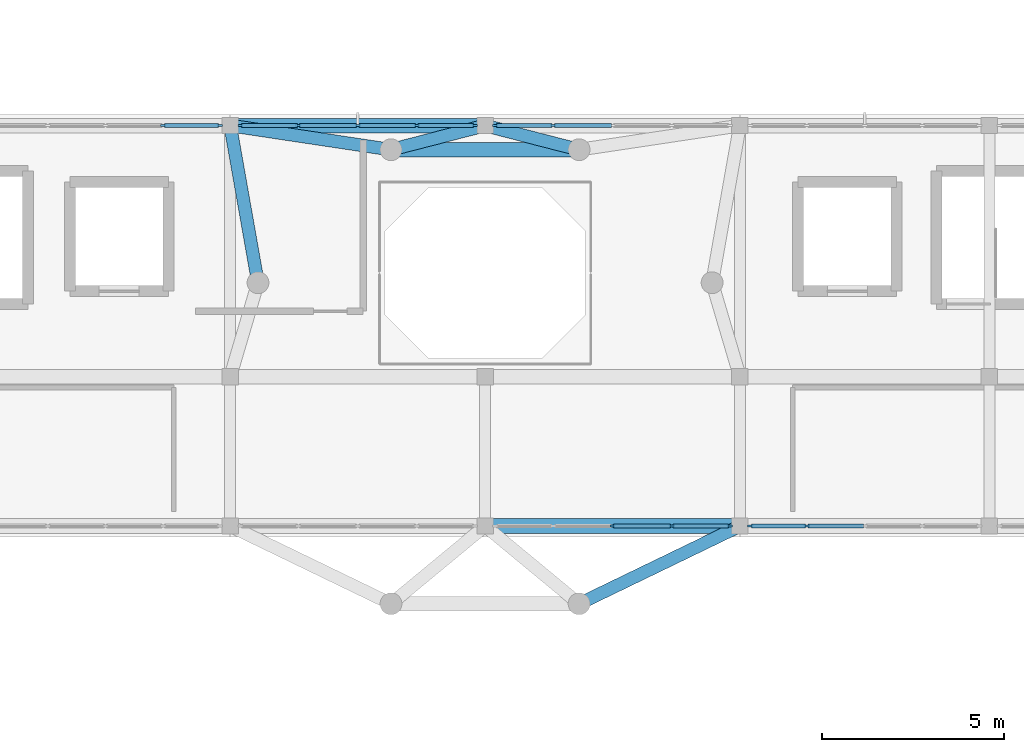
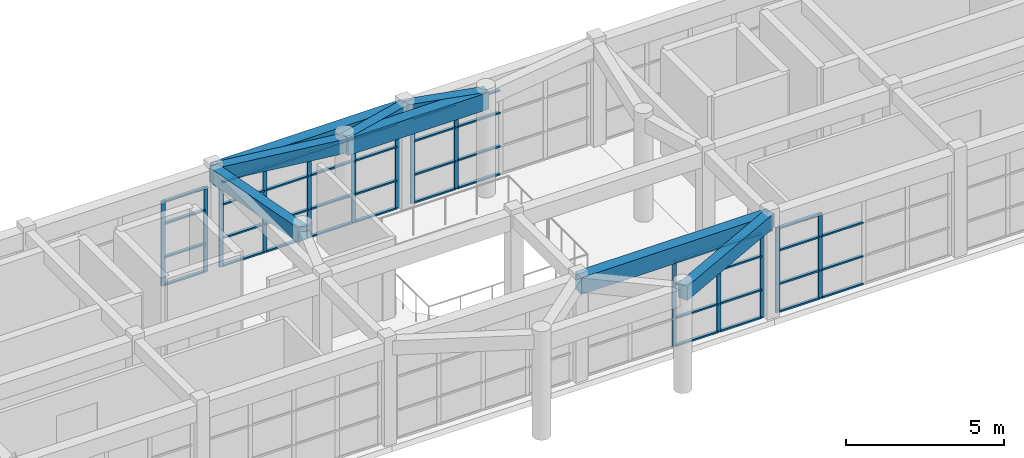
# One storey, part 6 of 66: 57 members, 8 beams, 5 elements without a shape of their own.
"""IFC4 building model written with IfcOpenShell, lengths in metres."""

from ifc_helpers import new_model, si_unit, direction, frame, origin, origin_2d, place, context, subcontext, project, spatial, rectangle, extrude, material, layer, layer_set, material_profile, profile_set, type_object, element, aggregate, save


model = new_model("IFC4")

# Units and contexts
model_context = context("Model", 3, precision=1e-05, world=origin(), true_north=direction((0.0, 1.0)))
body_context = subcontext(model_context, "Body", "Model", "MODEL_VIEW")
ifc_project = project(units=[si_unit("LENGTHUNIT", "METRE"), si_unit("AREAUNIT", "SQUARE_METRE"), si_unit("VOLUMEUNIT", "CUBIC_METRE"), si_unit("PLANEANGLEUNIT", "RADIAN"), si_unit("MASSUNIT", "GRAM", prefix="KILO")], contexts=[model_context])

# Site, building, storey
site_placement = place(None, origin())
site = spatial("IfcSite", under=ifc_project, at=site_placement, CompositionType="ELEMENT")
building_placement = place(site_placement, origin())
building = spatial("IfcBuilding", under=site, at=building_placement, Name="Candilejo Ridge Gondola Terminal", CompositionType="ELEMENT")
storey_placement = place(building_placement, frame((0.0, 0.0, 14.39990234375)))
storey = spatial("IfcBuildingStorey", under=building, at=storey_placement, Name="L03", CompositionType="ELEMENT", Elevation=14.39990234375)

# Curtain wall, members
ifc_material_1 = material(Name="Anodised aluminium AA 6063-T6", Category="aluminium")
ifc_layer_1 = layer(ifc_material_1, 0.169921875)
ifc_layer_set_1 = layer_set([ifc_layer_1], Name="ARC-CW-DRUM-3400-635X329")
curtain_wall_type_1 = type_object("IfcCurtainWallType", Name="ARC-CW-DRUM-3400-635X329", PredefinedType="NOTDEFINED", material=ifc_layer_set_1)
curtain_wall_1_placement = place(storey_placement, origin())
curtain_wall_1 = element("IfcCurtainWall", 1, at=curtain_wall_1_placement, inside=storey, type_object=curtain_wall_type_1, Name="Curtain wall V2 L03-060", PredefinedType="NOTDEFINED")
ifc_material_2 = material(Name="Anodised aluminium AA 6063-T6", Category="aluminium")
ifc_material_profile_1 = material_profile(ifc_material_2, rectangle(XDim=0.06494140625, YDim=0.14990234375, at=origin_2d()))
ifc_profile_set_1 = profile_set([ifc_material_profile_1], Name="Anodised aluminium AA 6063-T6")
member_type_1 = type_object("IfcMemberType", Name="ARC-CW-MULLION-150", PredefinedType="MULLION", material=ifc_profile_set_1)
member_1_placement = place(storey_placement, frame((56.512451171875, 36.699951171875, 0.0), z_axis=(0.0, 0.0, 1.0), x_axis=(0.0, 1.0, 0.0)))
member_1 = element("IfcMember", 2, at=member_1_placement, type_object=member_type_1, Name="CW-63X32 mullion 4", PredefinedType="MULLION", context=body_context, shape_type="SweptSolid", body=[
    extrude(rectangle(XDim=0.06494140625, YDim=0.14990234375, at=origin_2d()), origin(), (0.0, 0.0, 1.0), 3.2900390625),
])
member_2_placement = place(storey_placement, frame((58.0673828125, 36.699951171875, 0.0), z_axis=(0.0, 0.0, 1.0), x_axis=(0.0, 1.0, 0.0)))
member_2 = element("IfcMember", 3, at=member_2_placement, type_object=member_type_1, Name="CW-63X32 mullion 5", PredefinedType="MULLION", context=body_context, shape_type="SweptSolid", body=[
    extrude(rectangle(XDim=0.06494140625, YDim=0.14990234375, at=origin_2d()), origin(), (0.0, 0.0, 1.0), 3.2900390625),
])

ifc_material_3 = material(Name="Anodised aluminium AA 6063-T6", Category="aluminium")
ifc_layer_2 = layer(ifc_material_3, 0.169921875)
ifc_layer_set_2 = layer_set([ifc_layer_2], Name="ARC-CW-DRUM-3400-650X329")
curtain_wall_type_2 = type_object("IfcCurtainWallType", Name="ARC-CW-DRUM-3400-650X329", PredefinedType="NOTDEFINED", material=ifc_layer_set_2)
curtain_wall_2_placement = place(storey_placement, origin())
curtain_wall_2 = element("IfcCurtainWall", 4, at=curtain_wall_2_placement, inside=storey, type_object=curtain_wall_type_2, Name="Curtain wall V2 L03-062", PredefinedType="NOTDEFINED")
member_3_placement = place(storey_placement, frame((58.632568359375, 36.699951171875, 0.0), z_axis=(0.0, 0.0, 1.0), x_axis=(0.0, 1.0, 0.0)))
member_3 = element("IfcMember", 5, at=member_3_placement, type_object=member_type_1, Name="CW-65X32 mullion 1", PredefinedType="MULLION", context=body_context, shape_type="SweptSolid", body=[
    extrude(rectangle(XDim=0.06494140625, YDim=0.14990234375, at=origin_2d()), origin(), (0.0, 0.0, 1.0), 3.2900390625),
])
member_4_placement = place(storey_placement, frame((60.22509765625, 36.699951171875, 0.0), z_axis=(0.0, 0.0, 1.0), x_axis=(0.0, 1.0, 0.0)))
member_4 = element("IfcMember", 6, at=member_4_placement, type_object=member_type_1, Name="CW-65X32 mullion 2", PredefinedType="MULLION", context=body_context, shape_type="SweptSolid", body=[
    extrude(rectangle(XDim=0.06494140625, YDim=0.14990234375, at=origin_2d()), origin(), (0.0, 0.0, 1.0), 3.2900390625),
])
member_5_placement = place(storey_placement, frame((61.85009765625, 36.699951171875, 0.0), z_axis=(0.0, 0.0, 1.0), x_axis=(0.0, 1.0, 0.0)))
member_5 = element("IfcMember", 7, at=member_5_placement, type_object=member_type_1, Name="CW-65X32 mullion 3", PredefinedType="MULLION", context=body_context, shape_type="SweptSolid", body=[
    extrude(rectangle(XDim=0.06494140625, YDim=0.14990234375, at=origin_2d()), origin(), (0.0, 0.0, 1.0), 3.2900390625),
])
member_6_placement = place(storey_placement, frame((63.47509765625, 36.699951171875, 0.0), z_axis=(0.0, 0.0, 1.0), x_axis=(0.0, 1.0, 0.0)))
member_6 = element("IfcMember", 8, at=member_6_placement, type_object=member_type_1, Name="CW-65X32 mullion 4", PredefinedType="MULLION", context=body_context, shape_type="SweptSolid", body=[
    extrude(rectangle(XDim=0.06494140625, YDim=0.14990234375, at=origin_2d()), origin(), (0.0, 0.0, 1.0), 3.2900390625),
])
member_7_placement = place(storey_placement, frame((65.0673828125, 36.699951171875, 0.0), z_axis=(0.0, 0.0, 1.0), x_axis=(0.0, 1.0, 0.0)))
member_7 = element("IfcMember", 9, at=member_7_placement, type_object=member_type_1, Name="CW-65X32 mullion 5", PredefinedType="MULLION", context=body_context, shape_type="SweptSolid", body=[
    extrude(rectangle(XDim=0.06494140625, YDim=0.14990234375, at=origin_2d()), origin(), (0.0, 0.0, 1.0), 3.2900390625),
])

curtain_wall_3_placement = place(storey_placement, origin())
curtain_wall_3 = element("IfcCurtainWall", 10, at=curtain_wall_3_placement, inside=storey, type_object=curtain_wall_type_2, Name="Curtain wall V2 L03-064", PredefinedType="NOTDEFINED")
member_8_placement = place(storey_placement, frame((65.632568359375, 36.699951171875, 0.0), z_axis=(0.0, 0.0, 1.0), x_axis=(0.0, 1.0, 0.0)))
member_8 = element("IfcMember", 11, at=member_8_placement, type_object=member_type_1, Name="CW-65X32 mullion 1", PredefinedType="MULLION", context=body_context, shape_type="SweptSolid", body=[
    extrude(rectangle(XDim=0.06494140625, YDim=0.14990234375, at=origin_2d()), origin(), (0.0, 0.0, 1.0), 3.2900390625),
])
member_9_placement = place(storey_placement, frame((67.22509765625, 36.699951171875, 0.0), z_axis=(0.0, 0.0, 1.0), x_axis=(0.0, 1.0, 0.0)))
member_9 = element("IfcMember", 12, at=member_9_placement, type_object=member_type_1, Name="CW-65X32 mullion 2", PredefinedType="MULLION", context=body_context, shape_type="SweptSolid", body=[
    extrude(rectangle(XDim=0.06494140625, YDim=0.14990234375, at=origin_2d()), origin(), (0.0, 0.0, 1.0), 3.2900390625),
])

curtain_wall_4_placement = place(storey_placement, origin())
curtain_wall_4 = element("IfcCurtainWall", 13, at=curtain_wall_4_placement, inside=storey, type_object=curtain_wall_type_2, Name="Curtain wall V2 L03-065", PredefinedType="NOTDEFINED")
member_10_placement = place(storey_placement, frame((68.85009765625, 25.699951171875, 0.0), z_axis=(0.0, 0.0, 1.0), x_axis=(0.0, 1.0, 0.0)))
member_10 = element("IfcMember", 14, at=member_10_placement, type_object=member_type_1, Name="CW-65X32 mullion 3", PredefinedType="MULLION", context=body_context, shape_type="SweptSolid", body=[
    extrude(rectangle(XDim=0.06494140625, YDim=0.14990234375, at=origin_2d()), origin(), (0.0, 0.0, 1.0), 3.2900390625),
])
member_11_placement = place(storey_placement, frame((70.47509765625, 25.699951171875, 0.0), z_axis=(0.0, 0.0, 1.0), x_axis=(0.0, 1.0, 0.0)))
member_11 = element("IfcMember", 15, at=member_11_placement, type_object=member_type_1, Name="CW-65X32 mullion 4", PredefinedType="MULLION", context=body_context, shape_type="SweptSolid", body=[
    extrude(rectangle(XDim=0.06494140625, YDim=0.14990234375, at=origin_2d()), origin(), (0.0, 0.0, 1.0), 3.2900390625),
])
member_12_placement = place(storey_placement, frame((72.0673828125, 25.699951171875, 0.0), z_axis=(0.0, 0.0, 1.0), x_axis=(0.0, 1.0, 0.0)))
member_12 = element("IfcMember", 16, at=member_12_placement, type_object=member_type_1, Name="CW-65X32 mullion 5", PredefinedType="MULLION", context=body_context, shape_type="SweptSolid", body=[
    extrude(rectangle(XDim=0.06494140625, YDim=0.14990234375, at=origin_2d()), origin(), (0.0, 0.0, 1.0), 3.2900390625),
])

curtain_wall_5_placement = place(storey_placement, origin())
curtain_wall_5 = element("IfcCurtainWall", 17, at=curtain_wall_5_placement, inside=storey, type_object=curtain_wall_type_1, Name="Curtain wall V2 L03-067", PredefinedType="NOTDEFINED")
member_13_placement = place(storey_placement, frame((72.632568359375, 25.699951171875, 0.0), z_axis=(0.0, 0.0, 1.0), x_axis=(0.0, 1.0, 0.0)))
member_13 = element("IfcMember", 18, at=member_13_placement, type_object=member_type_1, Name="CW-63X32 mullion 1", PredefinedType="MULLION", context=body_context, shape_type="SweptSolid", body=[
    extrude(rectangle(XDim=0.06494140625, YDim=0.14990234375, at=origin_2d()), origin(), (0.0, 0.0, 1.0), 3.2900390625),
])
member_14_placement = place(storey_placement, frame((74.1875, 25.699951171875, 0.0), z_axis=(0.0, 0.0, 1.0), x_axis=(0.0, 1.0, 0.0)))
member_14 = element("IfcMember", 19, at=member_14_placement, type_object=member_type_1, Name="CW-63X32 mullion 2", PredefinedType="MULLION", context=body_context, shape_type="SweptSolid", body=[
    extrude(rectangle(XDim=0.06494140625, YDim=0.14990234375, at=origin_2d()), origin(), (0.0, 0.0, 1.0), 3.2900390625),
])

# Member
ifc_material_4 = material(Name="Anodised aluminium AA 6063-T6", Category="aluminium")
ifc_material_profile_2 = material_profile(ifc_material_4, rectangle(XDim=0.110107421875, YDim=0.06005859375, at=origin_2d()))
ifc_profile_set_2 = profile_set([ifc_material_profile_2], Name="Anodised aluminium AA 6063-T6")
member_type_2 = type_object("IfcMemberType", Name="ARC-CW-TRANSOM-110", PredefinedType="USERDEFINED", material=ifc_profile_set_2)
member_15_placement = place(storey_placement, frame((56.544921875, 36.699951171875, 0.030029296875), z_axis=(1.0, 0.0, 0.0), x_axis=(0.0, 1.0, 0.0)))
member_15 = element("IfcMember", 20, at=member_15_placement, type_object=member_type_2, Name="CW-63X32 transom 4.1", ObjectType="TRANSOM", PredefinedType="USERDEFINED", context=body_context, shape_type="SweptSolid", body=[
    extrude(rectangle(XDim=0.110107421875, YDim=0.06005859375, at=origin_2d()), origin(), (0.0, 0.0, 1.0), 1.489990234375),
])

member_16_placement = place(storey_placement, frame((56.544921875, 36.699951171875, 1.10009765625), z_axis=(1.0, 0.0, 0.0), x_axis=(0.0, 1.0, 0.0)))
member_16 = element("IfcMember", 21, at=member_16_placement, type_object=member_type_2, Name="CW-63X32 transom 4.2", ObjectType="TRANSOM", PredefinedType="USERDEFINED", context=body_context, shape_type="SweptSolid", body=[
    extrude(rectangle(XDim=0.110107421875, YDim=0.06005859375, at=origin_2d()), origin(), (0.0, 0.0, 1.0), 1.489990234375),
])

member_17_placement = place(storey_placement, frame((56.544921875, 36.699951171875, 2.400146484375), z_axis=(1.0, 0.0, 0.0), x_axis=(0.0, 1.0, 0.0)))
member_17 = element("IfcMember", 22, at=member_17_placement, type_object=member_type_2, Name="CW-63X32 transom 4.3", ObjectType="TRANSOM", PredefinedType="USERDEFINED", context=body_context, shape_type="SweptSolid", body=[
    extrude(rectangle(XDim=0.110107421875, YDim=0.06005859375, at=origin_2d()), origin(), (0.0, 0.0, 1.0), 1.489990234375),
])

member_18_placement = place(storey_placement, frame((56.544921875, 36.699951171875, 3.260009765625), z_axis=(1.0, 0.0, 0.0), x_axis=(0.0, 1.0, 0.0)))
member_18 = element("IfcMember", 23, at=member_18_placement, type_object=member_type_2, Name="CW-63X32 transom 4.4", ObjectType="TRANSOM", PredefinedType="USERDEFINED", context=body_context, shape_type="SweptSolid", body=[
    extrude(rectangle(XDim=0.110107421875, YDim=0.06005859375, at=origin_2d()), origin(), (0.0, 0.0, 1.0), 1.489990234375),
])

aggregate(curtain_wall_1, [member_1, member_2, member_15, member_16, member_17, member_18])

member_19_placement = place(storey_placement, frame((58.6650390625, 36.699951171875, 0.030029296875), z_axis=(1.0, 0.0, 0.0), x_axis=(0.0, 1.0, 0.0)))
member_19 = element("IfcMember", 24, at=member_19_placement, type_object=member_type_2, Name="CW-65X32 transom 1.1", ObjectType="TRANSOM", PredefinedType="USERDEFINED", context=body_context, shape_type="SweptSolid", body=[
    extrude(rectangle(XDim=0.110107421875, YDim=0.06005859375, at=origin_2d()), origin(), (0.0, 0.0, 1.0), 1.52734375),
])

member_20_placement = place(storey_placement, frame((58.6650390625, 36.699951171875, 1.10009765625), z_axis=(1.0, 0.0, 0.0), x_axis=(0.0, 1.0, 0.0)))
member_20 = element("IfcMember", 25, at=member_20_placement, type_object=member_type_2, Name="CW-65X32 transom 1.2", ObjectType="TRANSOM", PredefinedType="USERDEFINED", context=body_context, shape_type="SweptSolid", body=[
    extrude(rectangle(XDim=0.110107421875, YDim=0.06005859375, at=origin_2d()), origin(), (0.0, 0.0, 1.0), 1.52734375),
])

member_21_placement = place(storey_placement, frame((58.6650390625, 36.699951171875, 2.400146484375), z_axis=(1.0, 0.0, 0.0), x_axis=(0.0, 1.0, 0.0)))
member_21 = element("IfcMember", 26, at=member_21_placement, type_object=member_type_2, Name="CW-65X32 transom 1.3", ObjectType="TRANSOM", PredefinedType="USERDEFINED", context=body_context, shape_type="SweptSolid", body=[
    extrude(rectangle(XDim=0.110107421875, YDim=0.06005859375, at=origin_2d()), origin(), (0.0, 0.0, 1.0), 1.52734375),
])

member_22_placement = place(storey_placement, frame((58.6650390625, 36.699951171875, 3.260009765625), z_axis=(1.0, 0.0, 0.0), x_axis=(0.0, 1.0, 0.0)))
member_22 = element("IfcMember", 27, at=member_22_placement, type_object=member_type_2, Name="CW-65X32 transom 1.4", ObjectType="TRANSOM", PredefinedType="USERDEFINED", context=body_context, shape_type="SweptSolid", body=[
    extrude(rectangle(XDim=0.110107421875, YDim=0.06005859375, at=origin_2d()), origin(), (0.0, 0.0, 1.0), 1.52734375),
])

member_23_placement = place(storey_placement, frame((60.257568359375, 36.699951171875, 0.030029296875), z_axis=(1.0, 0.0, 0.0), x_axis=(0.0, 1.0, 0.0)))
member_23 = element("IfcMember", 28, at=member_23_placement, type_object=member_type_2, Name="CW-65X32 transom 2.1", ObjectType="TRANSOM", PredefinedType="USERDEFINED", context=body_context, shape_type="SweptSolid", body=[
    extrude(rectangle(XDim=0.110107421875, YDim=0.06005859375, at=origin_2d()), origin(), (0.0, 0.0, 1.0), 1.559814453125),
])

member_24_placement = place(storey_placement, frame((60.257568359375, 36.699951171875, 1.10009765625), z_axis=(1.0, 0.0, 0.0), x_axis=(0.0, 1.0, 0.0)))
member_24 = element("IfcMember", 29, at=member_24_placement, type_object=member_type_2, Name="CW-65X32 transom 2.2", ObjectType="TRANSOM", PredefinedType="USERDEFINED", context=body_context, shape_type="SweptSolid", body=[
    extrude(rectangle(XDim=0.110107421875, YDim=0.06005859375, at=origin_2d()), origin(), (0.0, 0.0, 1.0), 1.559814453125),
])

member_25_placement = place(storey_placement, frame((60.257568359375, 36.699951171875, 2.400146484375), z_axis=(1.0, 0.0, 0.0), x_axis=(0.0, 1.0, 0.0)))
member_25 = element("IfcMember", 30, at=member_25_placement, type_object=member_type_2, Name="CW-65X32 transom 2.3", ObjectType="TRANSOM", PredefinedType="USERDEFINED", context=body_context, shape_type="SweptSolid", body=[
    extrude(rectangle(XDim=0.110107421875, YDim=0.06005859375, at=origin_2d()), origin(), (0.0, 0.0, 1.0), 1.559814453125),
])

member_26_placement = place(storey_placement, frame((60.257568359375, 36.699951171875, 3.260009765625), z_axis=(1.0, 0.0, 0.0), x_axis=(0.0, 1.0, 0.0)))
member_26 = element("IfcMember", 31, at=member_26_placement, type_object=member_type_2, Name="CW-65X32 transom 2.4", ObjectType="TRANSOM", PredefinedType="USERDEFINED", context=body_context, shape_type="SweptSolid", body=[
    extrude(rectangle(XDim=0.110107421875, YDim=0.06005859375, at=origin_2d()), origin(), (0.0, 0.0, 1.0), 1.559814453125),
])

member_27_placement = place(storey_placement, frame((61.882568359375, 36.699951171875, 0.030029296875), z_axis=(1.0, 0.0, 0.0), x_axis=(0.0, 1.0, 0.0)))
member_27 = element("IfcMember", 32, at=member_27_placement, type_object=member_type_2, Name="CW-65X32 transom 3.1", ObjectType="TRANSOM", PredefinedType="USERDEFINED", context=body_context, shape_type="SweptSolid", body=[
    extrude(rectangle(XDim=0.110107421875, YDim=0.06005859375, at=origin_2d()), origin(), (0.0, 0.0, 1.0), 1.559814453125),
])

member_28_placement = place(storey_placement, frame((61.882568359375, 36.699951171875, 1.10009765625), z_axis=(1.0, 0.0, 0.0), x_axis=(0.0, 1.0, 0.0)))
member_28 = element("IfcMember", 33, at=member_28_placement, type_object=member_type_2, Name="CW-65X32 transom 3.2", ObjectType="TRANSOM", PredefinedType="USERDEFINED", context=body_context, shape_type="SweptSolid", body=[
    extrude(rectangle(XDim=0.110107421875, YDim=0.06005859375, at=origin_2d()), origin(), (0.0, 0.0, 1.0), 1.559814453125),
])

member_29_placement = place(storey_placement, frame((61.882568359375, 36.699951171875, 2.400146484375), z_axis=(1.0, 0.0, 0.0), x_axis=(0.0, 1.0, 0.0)))
member_29 = element("IfcMember", 34, at=member_29_placement, type_object=member_type_2, Name="CW-65X32 transom 3.3", ObjectType="TRANSOM", PredefinedType="USERDEFINED", context=body_context, shape_type="SweptSolid", body=[
    extrude(rectangle(XDim=0.110107421875, YDim=0.06005859375, at=origin_2d()), origin(), (0.0, 0.0, 1.0), 1.559814453125),
])

member_30_placement = place(storey_placement, frame((61.882568359375, 36.699951171875, 3.260009765625), z_axis=(1.0, 0.0, 0.0), x_axis=(0.0, 1.0, 0.0)))
member_30 = element("IfcMember", 35, at=member_30_placement, type_object=member_type_2, Name="CW-65X32 transom 3.4", ObjectType="TRANSOM", PredefinedType="USERDEFINED", context=body_context, shape_type="SweptSolid", body=[
    extrude(rectangle(XDim=0.110107421875, YDim=0.06005859375, at=origin_2d()), origin(), (0.0, 0.0, 1.0), 1.559814453125),
])

member_31_placement = place(storey_placement, frame((63.507568359375, 36.699951171875, 0.030029296875), z_axis=(1.0, 0.0, 0.0), x_axis=(0.0, 1.0, 0.0)))
member_31 = element("IfcMember", 36, at=member_31_placement, type_object=member_type_2, Name="CW-65X32 transom 4.1", ObjectType="TRANSOM", PredefinedType="USERDEFINED", context=body_context, shape_type="SweptSolid", body=[
    extrude(rectangle(XDim=0.110107421875, YDim=0.06005859375, at=origin_2d()), origin(), (0.0, 0.0, 1.0), 1.52734375),
])

member_32_placement = place(storey_placement, frame((63.507568359375, 36.699951171875, 1.10009765625), z_axis=(1.0, 0.0, 0.0), x_axis=(0.0, 1.0, 0.0)))
member_32 = element("IfcMember", 37, at=member_32_placement, type_object=member_type_2, Name="CW-65X32 transom 4.2", ObjectType="TRANSOM", PredefinedType="USERDEFINED", context=body_context, shape_type="SweptSolid", body=[
    extrude(rectangle(XDim=0.110107421875, YDim=0.06005859375, at=origin_2d()), origin(), (0.0, 0.0, 1.0), 1.52734375),
])

member_33_placement = place(storey_placement, frame((63.507568359375, 36.699951171875, 2.400146484375), z_axis=(1.0, 0.0, 0.0), x_axis=(0.0, 1.0, 0.0)))
member_33 = element("IfcMember", 38, at=member_33_placement, type_object=member_type_2, Name="CW-65X32 transom 4.3", ObjectType="TRANSOM", PredefinedType="USERDEFINED", context=body_context, shape_type="SweptSolid", body=[
    extrude(rectangle(XDim=0.110107421875, YDim=0.06005859375, at=origin_2d()), origin(), (0.0, 0.0, 1.0), 1.52734375),
])

member_34_placement = place(storey_placement, frame((63.507568359375, 36.699951171875, 3.260009765625), z_axis=(1.0, 0.0, 0.0), x_axis=(0.0, 1.0, 0.0)))
member_34 = element("IfcMember", 39, at=member_34_placement, type_object=member_type_2, Name="CW-65X32 transom 4.4", ObjectType="TRANSOM", PredefinedType="USERDEFINED", context=body_context, shape_type="SweptSolid", body=[
    extrude(rectangle(XDim=0.110107421875, YDim=0.06005859375, at=origin_2d()), origin(), (0.0, 0.0, 1.0), 1.52734375),
])

aggregate(curtain_wall_2, [member_3, member_4, member_5, member_6, member_7, member_19, member_20, member_21, member_22, member_23, member_24, member_25, member_26, member_27, member_28, member_29, member_30, member_31, member_32, member_33, member_34])

member_35_placement = place(storey_placement, frame((65.6650390625, 36.699951171875, 0.030029296875), z_axis=(1.0, 0.0, 0.0), x_axis=(0.0, 1.0, 0.0)))
member_35 = element("IfcMember", 40, at=member_35_placement, type_object=member_type_2, Name="CW-65X32 transom 1.1", ObjectType="TRANSOM", PredefinedType="USERDEFINED", context=body_context, shape_type="SweptSolid", body=[
    extrude(rectangle(XDim=0.110107421875, YDim=0.06005859375, at=origin_2d()), origin(), (0.0, 0.0, 1.0), 1.52734375),
])

member_36_placement = place(storey_placement, frame((65.6650390625, 36.699951171875, 1.10009765625), z_axis=(1.0, 0.0, 0.0), x_axis=(0.0, 1.0, 0.0)))
member_36 = element("IfcMember", 41, at=member_36_placement, type_object=member_type_2, Name="CW-65X32 transom 1.2", ObjectType="TRANSOM", PredefinedType="USERDEFINED", context=body_context, shape_type="SweptSolid", body=[
    extrude(rectangle(XDim=0.110107421875, YDim=0.06005859375, at=origin_2d()), origin(), (0.0, 0.0, 1.0), 1.52734375),
])

member_37_placement = place(storey_placement, frame((65.6650390625, 36.699951171875, 2.400146484375), z_axis=(1.0, 0.0, 0.0), x_axis=(0.0, 1.0, 0.0)))
member_37 = element("IfcMember", 42, at=member_37_placement, type_object=member_type_2, Name="CW-65X32 transom 1.3", ObjectType="TRANSOM", PredefinedType="USERDEFINED", context=body_context, shape_type="SweptSolid", body=[
    extrude(rectangle(XDim=0.110107421875, YDim=0.06005859375, at=origin_2d()), origin(), (0.0, 0.0, 1.0), 1.52734375),
])

member_38_placement = place(storey_placement, frame((65.6650390625, 36.699951171875, 3.260009765625), z_axis=(1.0, 0.0, 0.0), x_axis=(0.0, 1.0, 0.0)))
member_38 = element("IfcMember", 43, at=member_38_placement, type_object=member_type_2, Name="CW-65X32 transom 1.4", ObjectType="TRANSOM", PredefinedType="USERDEFINED", context=body_context, shape_type="SweptSolid", body=[
    extrude(rectangle(XDim=0.110107421875, YDim=0.06005859375, at=origin_2d()), origin(), (0.0, 0.0, 1.0), 1.52734375),
])

member_39_placement = place(storey_placement, frame((67.257568359375, 36.699951171875, 0.030029296875), z_axis=(1.0, 0.0, 0.0), x_axis=(0.0, 1.0, 0.0)))
member_39 = element("IfcMember", 44, at=member_39_placement, type_object=member_type_2, Name="CW-65X32 transom 2.1", ObjectType="TRANSOM", PredefinedType="USERDEFINED", context=body_context, shape_type="SweptSolid", body=[
    extrude(rectangle(XDim=0.110107421875, YDim=0.06005859375, at=origin_2d()), origin(), (0.0, 0.0, 1.0), 1.559814453125),
])

member_40_placement = place(storey_placement, frame((67.257568359375, 36.699951171875, 1.10009765625), z_axis=(1.0, 0.0, 0.0), x_axis=(0.0, 1.0, 0.0)))
member_40 = element("IfcMember", 45, at=member_40_placement, type_object=member_type_2, Name="CW-65X32 transom 2.2", ObjectType="TRANSOM", PredefinedType="USERDEFINED", context=body_context, shape_type="SweptSolid", body=[
    extrude(rectangle(XDim=0.110107421875, YDim=0.06005859375, at=origin_2d()), origin(), (0.0, 0.0, 1.0), 1.559814453125),
])

member_41_placement = place(storey_placement, frame((67.257568359375, 36.699951171875, 2.400146484375), z_axis=(1.0, 0.0, 0.0), x_axis=(0.0, 1.0, 0.0)))
member_41 = element("IfcMember", 46, at=member_41_placement, type_object=member_type_2, Name="CW-65X32 transom 2.3", ObjectType="TRANSOM", PredefinedType="USERDEFINED", context=body_context, shape_type="SweptSolid", body=[
    extrude(rectangle(XDim=0.110107421875, YDim=0.06005859375, at=origin_2d()), origin(), (0.0, 0.0, 1.0), 1.559814453125),
])

member_42_placement = place(storey_placement, frame((67.257568359375, 36.699951171875, 3.260009765625), z_axis=(1.0, 0.0, 0.0), x_axis=(0.0, 1.0, 0.0)))
member_42 = element("IfcMember", 47, at=member_42_placement, type_object=member_type_2, Name="CW-65X32 transom 2.4", ObjectType="TRANSOM", PredefinedType="USERDEFINED", context=body_context, shape_type="SweptSolid", body=[
    extrude(rectangle(XDim=0.110107421875, YDim=0.06005859375, at=origin_2d()), origin(), (0.0, 0.0, 1.0), 1.559814453125),
])

aggregate(curtain_wall_3, [member_8, member_9, member_35, member_36, member_37, member_38, member_39, member_40, member_41, member_42])

member_43_placement = place(storey_placement, frame((68.882568359375, 25.699951171875, 0.030029296875), z_axis=(1.0, 0.0, 0.0), x_axis=(0.0, 1.0, 0.0)))
member_43 = element("IfcMember", 48, at=member_43_placement, type_object=member_type_2, Name="CW-65X32 transom 3.1", ObjectType="TRANSOM", PredefinedType="USERDEFINED", context=body_context, shape_type="SweptSolid", body=[
    extrude(rectangle(XDim=0.110107421875, YDim=0.06005859375, at=origin_2d()), origin(), (0.0, 0.0, 1.0), 1.559814453125),
])

member_44_placement = place(storey_placement, frame((68.882568359375, 25.699951171875, 1.10009765625), z_axis=(1.0, 0.0, 0.0), x_axis=(0.0, 1.0, 0.0)))
member_44 = element("IfcMember", 49, at=member_44_placement, type_object=member_type_2, Name="CW-65X32 transom 3.2", ObjectType="TRANSOM", PredefinedType="USERDEFINED", context=body_context, shape_type="SweptSolid", body=[
    extrude(rectangle(XDim=0.110107421875, YDim=0.06005859375, at=origin_2d()), origin(), (0.0, 0.0, 1.0), 1.559814453125),
])

member_45_placement = place(storey_placement, frame((68.882568359375, 25.699951171875, 2.400146484375), z_axis=(1.0, 0.0, 0.0), x_axis=(0.0, 1.0, 0.0)))
member_45 = element("IfcMember", 50, at=member_45_placement, type_object=member_type_2, Name="CW-65X32 transom 3.3", ObjectType="TRANSOM", PredefinedType="USERDEFINED", context=body_context, shape_type="SweptSolid", body=[
    extrude(rectangle(XDim=0.110107421875, YDim=0.06005859375, at=origin_2d()), origin(), (0.0, 0.0, 1.0), 1.559814453125),
])

member_46_placement = place(storey_placement, frame((68.882568359375, 25.699951171875, 3.260009765625), z_axis=(1.0, 0.0, 0.0), x_axis=(0.0, 1.0, 0.0)))
member_46 = element("IfcMember", 51, at=member_46_placement, type_object=member_type_2, Name="CW-65X32 transom 3.4", ObjectType="TRANSOM", PredefinedType="USERDEFINED", context=body_context, shape_type="SweptSolid", body=[
    extrude(rectangle(XDim=0.110107421875, YDim=0.06005859375, at=origin_2d()), origin(), (0.0, 0.0, 1.0), 1.559814453125),
])

member_47_placement = place(storey_placement, frame((70.507568359375, 25.699951171875, 0.030029296875), z_axis=(1.0, 0.0, 0.0), x_axis=(0.0, 1.0, 0.0)))
member_47 = element("IfcMember", 52, at=member_47_placement, type_object=member_type_2, Name="CW-65X32 transom 4.1", ObjectType="TRANSOM", PredefinedType="USERDEFINED", context=body_context, shape_type="SweptSolid", body=[
    extrude(rectangle(XDim=0.110107421875, YDim=0.06005859375, at=origin_2d()), origin(), (0.0, 0.0, 1.0), 1.52734375),
])

member_48_placement = place(storey_placement, frame((70.507568359375, 25.699951171875, 1.10009765625), z_axis=(1.0, 0.0, 0.0), x_axis=(0.0, 1.0, 0.0)))
member_48 = element("IfcMember", 53, at=member_48_placement, type_object=member_type_2, Name="CW-65X32 transom 4.2", ObjectType="TRANSOM", PredefinedType="USERDEFINED", context=body_context, shape_type="SweptSolid", body=[
    extrude(rectangle(XDim=0.110107421875, YDim=0.06005859375, at=origin_2d()), origin(), (0.0, 0.0, 1.0), 1.52734375),
])

member_49_placement = place(storey_placement, frame((70.507568359375, 25.699951171875, 2.400146484375), z_axis=(1.0, 0.0, 0.0), x_axis=(0.0, 1.0, 0.0)))
member_49 = element("IfcMember", 54, at=member_49_placement, type_object=member_type_2, Name="CW-65X32 transom 4.3", ObjectType="TRANSOM", PredefinedType="USERDEFINED", context=body_context, shape_type="SweptSolid", body=[
    extrude(rectangle(XDim=0.110107421875, YDim=0.06005859375, at=origin_2d()), origin(), (0.0, 0.0, 1.0), 1.52734375),
])

member_50_placement = place(storey_placement, frame((70.507568359375, 25.699951171875, 3.260009765625), z_axis=(1.0, 0.0, 0.0), x_axis=(0.0, 1.0, 0.0)))
member_50 = element("IfcMember", 55, at=member_50_placement, type_object=member_type_2, Name="CW-65X32 transom 4.4", ObjectType="TRANSOM", PredefinedType="USERDEFINED", context=body_context, shape_type="SweptSolid", body=[
    extrude(rectangle(XDim=0.110107421875, YDim=0.06005859375, at=origin_2d()), origin(), (0.0, 0.0, 1.0), 1.52734375),
])

aggregate(curtain_wall_4, [member_10, member_11, member_12, member_43, member_44, member_45, member_46, member_47, member_48, member_49, member_50])

member_51_placement = place(storey_placement, frame((72.6650390625, 25.699951171875, 0.030029296875), z_axis=(1.0, 0.0, 0.0), x_axis=(0.0, 1.0, 0.0)))
member_51 = element("IfcMember", 56, at=member_51_placement, type_object=member_type_2, Name="CW-63X32 transom 1.1", ObjectType="TRANSOM", PredefinedType="USERDEFINED", context=body_context, shape_type="SweptSolid", body=[
    extrude(rectangle(XDim=0.110107421875, YDim=0.06005859375, at=origin_2d()), origin(), (0.0, 0.0, 1.0), 1.489990234375),
])

member_52_placement = place(storey_placement, frame((72.6650390625, 25.699951171875, 1.10009765625), z_axis=(1.0, 0.0, 0.0), x_axis=(0.0, 1.0, 0.0)))
member_52 = element("IfcMember", 57, at=member_52_placement, type_object=member_type_2, Name="CW-63X32 transom 1.2", ObjectType="TRANSOM", PredefinedType="USERDEFINED", context=body_context, shape_type="SweptSolid", body=[
    extrude(rectangle(XDim=0.110107421875, YDim=0.06005859375, at=origin_2d()), origin(), (0.0, 0.0, 1.0), 1.489990234375),
])

member_53_placement = place(storey_placement, frame((72.6650390625, 25.699951171875, 2.400146484375), z_axis=(1.0, 0.0, 0.0), x_axis=(0.0, 1.0, 0.0)))
member_53 = element("IfcMember", 58, at=member_53_placement, type_object=member_type_2, Name="CW-63X32 transom 1.3", ObjectType="TRANSOM", PredefinedType="USERDEFINED", context=body_context, shape_type="SweptSolid", body=[
    extrude(rectangle(XDim=0.110107421875, YDim=0.06005859375, at=origin_2d()), origin(), (0.0, 0.0, 1.0), 1.489990234375),
])

member_54_placement = place(storey_placement, frame((72.6650390625, 25.699951171875, 3.260009765625), z_axis=(1.0, 0.0, 0.0), x_axis=(0.0, 1.0, 0.0)))
member_54 = element("IfcMember", 59, at=member_54_placement, type_object=member_type_2, Name="CW-63X32 transom 1.4", ObjectType="TRANSOM", PredefinedType="USERDEFINED", context=body_context, shape_type="SweptSolid", body=[
    extrude(rectangle(XDim=0.110107421875, YDim=0.06005859375, at=origin_2d()), origin(), (0.0, 0.0, 1.0), 1.489990234375),
])

member_55_placement = place(storey_placement, frame((74.219970703125, 25.699951171875, 0.030029296875), z_axis=(1.0, 0.0, 0.0), x_axis=(0.0, 1.0, 0.0)))
member_55 = element("IfcMember", 60, at=member_55_placement, type_object=member_type_2, Name="CW-63X32 transom 2.1", ObjectType="TRANSOM", PredefinedType="USERDEFINED", context=body_context, shape_type="SweptSolid", body=[
    extrude(rectangle(XDim=0.110107421875, YDim=0.06005859375, at=origin_2d()), origin(), (0.0, 0.0, 1.0), 1.5224609375),
])

member_56_placement = place(storey_placement, frame((74.219970703125, 25.699951171875, 1.10009765625), z_axis=(1.0, 0.0, 0.0), x_axis=(0.0, 1.0, 0.0)))
member_56 = element("IfcMember", 61, at=member_56_placement, type_object=member_type_2, Name="CW-63X32 transom 2.2", ObjectType="TRANSOM", PredefinedType="USERDEFINED", context=body_context, shape_type="SweptSolid", body=[
    extrude(rectangle(XDim=0.110107421875, YDim=0.06005859375, at=origin_2d()), origin(), (0.0, 0.0, 1.0), 1.5224609375),
])

member_57_placement = place(storey_placement, frame((74.219970703125, 25.699951171875, 2.400146484375), z_axis=(1.0, 0.0, 0.0), x_axis=(0.0, 1.0, 0.0)))
member_57 = element("IfcMember", 62, at=member_57_placement, type_object=member_type_2, Name="CW-63X32 transom 2.3", ObjectType="TRANSOM", PredefinedType="USERDEFINED", context=body_context, shape_type="SweptSolid", body=[
    extrude(rectangle(XDim=0.110107421875, YDim=0.06005859375, at=origin_2d()), origin(), (0.0, 0.0, 1.0), 1.5224609375),
])

aggregate(curtain_wall_5, [member_13, member_14, member_51, member_52, member_53, member_54, member_55, member_56, member_57])

# Beams
ifc_material_5 = material(Name="Concrete f'c 35 MPa (C35/45)", Category="concrete")
ifc_material_profile_3 = material_profile(ifc_material_5, rectangle(XDim=0.35009765625, YDim=0.550048828125, at=origin_2d()))
ifc_profile_set_3 = profile_set([ifc_material_profile_3], Name="Concrete f'c 35 MPa (C35/45)")
beam_type_1 = type_object("IfcBeamType", Name="STR-BM-RC350X550", PredefinedType="BEAM", material=ifc_profile_set_3)
beam_1_placement = place(storey_placement, frame((67.93310546875, 36.0361328125, 3.72509765625), z_axis=(-0.968527619913, 0.248906105722, 0.0), x_axis=(-0.248906105722, -0.968527619913, 0.0)))
element("IfcBeam", 63, at=beam_1_placement, inside=storey, type_object=beam_type_1, Name="Rotunda radial tie beam L03 ROT2", PredefinedType="BEAM", context=body_context, shape_type="SweptSolid", body=[
    extrude(rectangle(XDim=0.35009765625, YDim=0.550048828125, at=origin_2d()), origin(), (0.0, 0.0, 1.0), 2.6669921875),
])
beam_2_placement = place(storey_placement, frame((62.766845703125, 36.0361328125, 3.72509765625), z_axis=(0.968533290652, 0.248884039059, 0.0), x_axis=(-0.248884039059, 0.968533290652, 0.0)))
element("IfcBeam", 64, at=beam_2_placement, inside=storey, type_object=beam_type_1, Name="Rotunda radial tie beam L03 ROT3", PredefinedType="BEAM", context=body_context, shape_type="SweptSolid", body=[
    extrude(rectangle(XDim=0.35009765625, YDim=0.550048828125, at=origin_2d()), origin(), (0.0, 0.0, 1.0), 2.667236328125),
])
beam_3_placement = place(storey_placement, frame((62.766845703125, 36.0361328125, 3.72509765625), z_axis=(-0.98889341039, 0.148626454196, 0.0), x_axis=(-0.148626454196, -0.98889341039, 0.0)))
element("IfcBeam", 65, at=beam_3_placement, inside=storey, type_object=beam_type_1, Name="Rotunda radial tie beam L03 ROT3", PredefinedType="BEAM", context=body_context, shape_type="SweptSolid", body=[
    extrude(rectangle(XDim=0.35009765625, YDim=0.550048828125, at=origin_2d()), origin(), (0.0, 0.0, 1.0), 4.46630859375),
])
beam_4_placement = place(storey_placement, frame((59.11376953125, 32.383056640625, 3.72509765625), z_axis=(-0.17419832165, 0.984710589328, 0.0), x_axis=(-0.984710589328, -0.17419832165, 0.0)))
element("IfcBeam", 66, at=beam_4_placement, inside=storey, type_object=beam_type_1, Name="Rotunda radial tie beam L03 ROT4", PredefinedType="BEAM", context=body_context, shape_type="SweptSolid", body=[
    extrude(rectangle(XDim=0.35009765625, YDim=0.550048828125, at=origin_2d()), origin(), (0.0, 0.0, 1.0), 4.384033203125),
])
beam_5_placement = place(storey_placement, frame((67.93310546875, 23.563720703125, 3.72509765625), z_axis=(0.900241048505, 0.435391840284, 0.0), x_axis=(-0.435391840284, 0.900241048505, 0.0)))
element("IfcBeam", 67, at=beam_5_placement, inside=storey, type_object=beam_type_1, Name="Rotunda radial tie beam L03 ROT7", PredefinedType="BEAM", context=body_context, shape_type="SweptSolid", body=[
    extrude(rectangle(XDim=0.35009765625, YDim=0.550048828125, at=origin_2d()), origin(), (0.0, 0.0, 1.0), 4.906494140625),
])
ifc_material_6 = material(Name="Concrete f'c 35 MPa (C35/45)", Category="concrete")
ifc_material_profile_4 = material_profile(ifc_material_6, rectangle(XDim=0.39990234375, YDim=0.64990234375, at=origin_2d()))
ifc_profile_set_4 = profile_set([ifc_material_profile_4], Name="Concrete f'c 35 MPa (C35/45)")
beam_type_2 = type_object("IfcBeamType", Name="STR-SPN-RC400X650", PredefinedType="SPANDREL", material=ifc_profile_set_4)
for number, where, z_axis, x_axis, name in (
    (68, (65.35009765625, 25.699951171875, 3.675048828125), (1.0, 0.0, 0.0), (0.0, 1.0, 0.0), "Beam X V2 L03 X10-X11@Y05"),
    (69, (58.35009765625, 36.699951171875, 3.675048828125), (1.0, 0.0, 0.0), (0.0, 1.0, 0.0), "Beam X V2 L03 X09-X10@Y07"),
):
    element("IfcBeam", number, at=place(storey_placement, frame(where, z_axis=z_axis, x_axis=x_axis)), inside=storey, type_object=beam_type_2, Name=name, PredefinedType="SPANDREL", context=body_context, shape_type="SweptSolid", body=[
        extrude(rectangle(XDim=0.39990234375, YDim=0.64990234375, at=origin_2d()), origin(), (0.0, 0.0, 1.0), 7.0),
    ])
beam_6_placement = place(storey_placement, frame((67.93310546875, 36.0361328125, 3.675048828125), z_axis=(-1.0, 0.0, 0.0), x_axis=(0.0, -1.0, 0.0)))
element("IfcBeam", 70, at=beam_6_placement, inside=storey, type_object=beam_type_2, Name="Rotunda ring beam L03 ROT2-ROT3", PredefinedType="SPANDREL", context=body_context, shape_type="SweptSolid", body=[
    extrude(rectangle(XDim=0.39990234375, YDim=0.64990234375, at=origin_2d()), origin(), (0.0, 0.0, 1.0), 5.166259765625),
])

save(model, "model.ifc")
